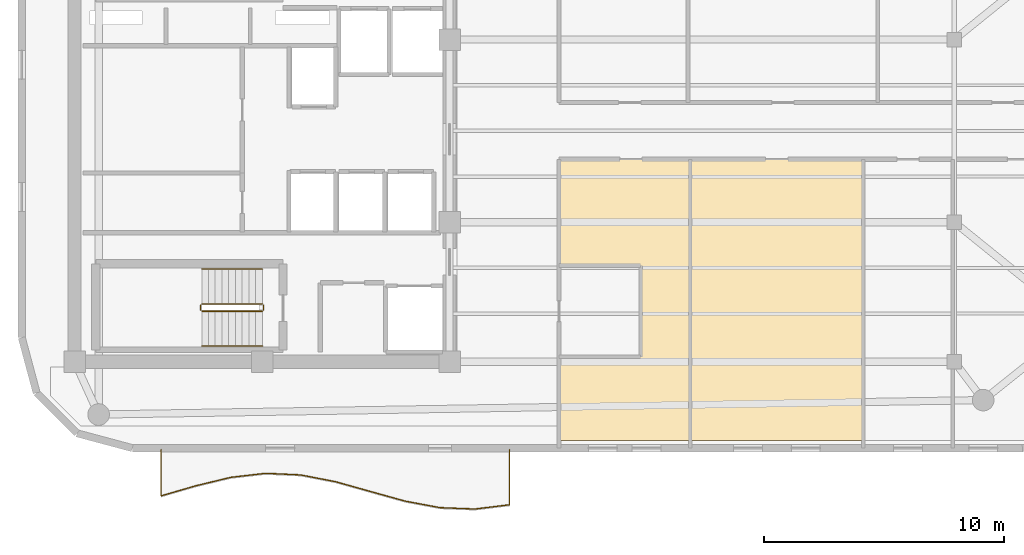
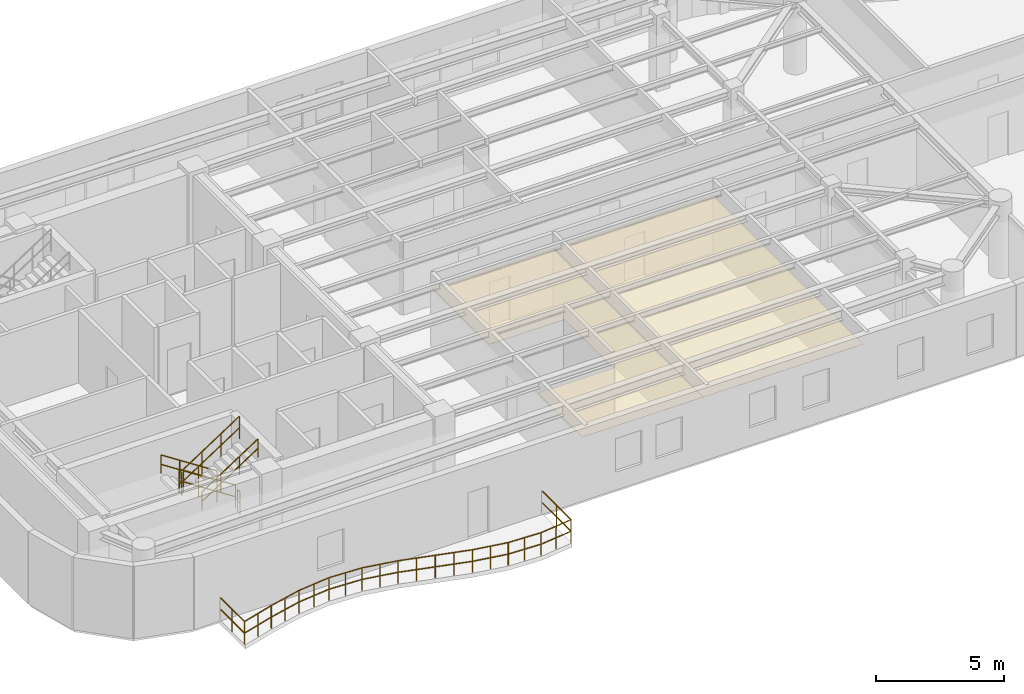
# One storey, part 11 of 14: 7 railings, 2 coverings.
"""IFC4 building model written with IfcOpenShell, lengths in metres."""

from ifc_helpers import new_model, si_unit, direction, frame, origin, origin_2d, place, context, subcontext, project, spatial, polyline, circle, outline, extrude, material, layer, layer_set, type_object, element, save


model = new_model("IFC4")

# Units and contexts
model_context = context("Model", 3, precision=1e-05, world=origin(), true_north=direction((0.0, 1.0)))
body_context = subcontext(model_context, "Body", "Model", "MODEL_VIEW")
ifc_project = project(units=[si_unit("LENGTHUNIT", "METRE"), si_unit("AREAUNIT", "SQUARE_METRE"), si_unit("VOLUMEUNIT", "CUBIC_METRE"), si_unit("PLANEANGLEUNIT", "RADIAN"), si_unit("MASSUNIT", "GRAM", prefix="KILO")], contexts=[model_context])

# Site, building, storey
site_placement = place(None, origin())
site = spatial("IfcSite", under=ifc_project, at=site_placement, CompositionType="ELEMENT")
building_placement = place(site_placement, origin())
building = spatial("IfcBuilding", under=site, at=building_placement, Name="An Khanh Terracotta Commons", CompositionType="ELEMENT")
storey_placement = place(building_placement, frame((0.0, 0.0, 280.699951171875)))
storey = spatial("IfcBuildingStorey", under=building, at=storey_placement, Name="L73", CompositionType="ELEMENT", Elevation=280.699951171875)

# Coverings
ifc_material_1 = material(Name="Perforated Mineral-Fibre Acoustic Tile")
ifc_layer = layer(ifc_material_1, 0.02001953125, Name="Perforated Mineral-Fibre Acoustic Tile")
ifc_layer_set = layer_set([ifc_layer], Name="Perforated Mineral-Fibre Acoustic Tile")
covering_type = type_object("IfcCoveringType", Name="CEIL-ACOUSTIC-18", PredefinedType="CEILING", material=ifc_layer_set)
covering_1_placement = place(storey_placement, frame((0.0, 0.0, 2.650146484375)))
element("IfcCovering", 1, at=covering_1_placement, inside=storey, type_object=covering_type, Name="L73 Collaborative Study Lounge Ceiling", PredefinedType="CEILING", context=body_context, shape_type="SweptSolid", body=[
    extrude(outline(polyline([(41.75, 11.1201171875), (41.75, 11.719970703125), (41.75, 14.179931640625), (41.75, 14.60009765625), (45.14990234375, 14.60009765625), (45.14990234375, 18.39990234375), (41.75, 18.39990234375), (41.75, 22.820068359375), (47.2109375, 22.820068359375), (47.2109375, 11.1201171875), (41.75, 11.1201171875)])), origin(), (0.0, 0.0, 1.0), 0.02001953125),
])
covering_2_placement = place(storey_placement, frame((0.0, 0.0, 2.650146484375)))
element("IfcCovering", 2, at=covering_2_placement, inside=storey, type_object=covering_type, Name="L73 Collaborative Study Lounge Ceiling", PredefinedType="CEILING", context=body_context, shape_type="SweptSolid", body=[
    extrude(outline(polyline([(47.2109375, 11.1201171875), (47.2109375, 22.820068359375), (54.41796875, 22.820068359375), (54.41796875, 11.1201171875), (47.2109375, 11.1201171875)])), origin(), (0.0, 0.0, 1.0), 0.02001953125),
])

# Railings
ifc_material_2 = material(Name="Brushed Stainless Steel 316", Category="steel")
railing_type_1 = type_object("IfcRailingType", Name="RAIL-BALUSTRADE-1100", PredefinedType="BALUSTRADE", material=ifc_material_2)
railing_1_placement = place(storey_placement, frame((25.199951171875, 10.739990234375, 0.0)))
element("IfcRailing", 3, at=railing_1_placement, inside=storey, type_object=railing_type_1, Name="L73 S Wave Balcony Guard Balustrade", PredefinedType="BALUSTRADE", context=body_context, shape_type="SweptSolid", body=[
    extrude(circle(Radius=0.02392578125, at=origin_2d()), frame((0.0, 0.0, 1.076171875), z_axis=(0.0, -1.0, 0.0), x_axis=(1.0, 0.0, 0.0)), (0.0, 0.0, 1.0), 1.924072265625),
    extrude(circle(Radius=0.02392578125, at=origin_2d()), frame((0.0, 0.0, 0.52587890625), z_axis=(0.0, -1.0, 0.0), x_axis=(1.0, 0.0, 0.0)), (0.0, 0.0, 1.0), 1.924072265625),
    extrude(circle(Radius=0.02392578125, at=origin_2d()), frame((0.0, -1.924072265625, 1.076171875), z_axis=(0.960312701252, 0.278925645674, 0.0), x_axis=(-0.278925645674, 0.960312701252, 0.0)), (0.0, 0.0, 1.0), 1.509765625),
    extrude(circle(Radius=0.02392578125, at=origin_2d()), frame((0.0, -1.924072265625, 0.52587890625), z_axis=(0.960312701252, 0.278925645674, 0.0), x_axis=(-0.278925645674, 0.960312701252, 0.0)), (0.0, 0.0, 1.0), 1.509765625),
    extrude(circle(Radius=0.02392578125, at=origin_2d()), frame((1.449951171875, -1.5029296875, 1.076171875), z_axis=(0.972111805875, 0.234517881788, 0.0), x_axis=(-0.234517881788, 0.972111805875, 0.0)), (0.0, 0.0, 1.0), 1.49169921875),
    extrude(circle(Radius=0.02392578125, at=origin_2d()), frame((1.449951171875, -1.5029296875, 0.52587890625), z_axis=(0.972111805875, 0.234517881788, 0.0), x_axis=(-0.234517881788, 0.972111805875, 0.0)), (0.0, 0.0, 1.0), 1.49169921875),
    extrude(circle(Radius=0.02392578125, at=origin_2d()), frame((2.900146484375, -1.153076171875, 1.076171875), z_axis=(0.993433088968, 0.114414587111, 0.0), x_axis=(-0.114414587111, 0.993433088968, 0.0)), (0.0, 0.0, 1.0), 1.45947265625),
    extrude(circle(Radius=0.02392578125, at=origin_2d()), frame((2.900146484375, -1.153076171875, 0.52587890625), z_axis=(0.993433088968, 0.114414587111, 0.0), x_axis=(-0.114414587111, 0.993433088968, 0.0)), (0.0, 0.0, 1.0), 1.45947265625),
    extrude(circle(Radius=0.02392578125, at=origin_2d()), frame((4.35009765625, -0.986083984375, 1.076171875), z_axis=(0.99893744393, -0.046086691301, 0.0), x_axis=(0.046086691301, 0.99893744393, 0.0)), (0.0, 0.0, 1.0), 1.451416015625),
    extrude(circle(Radius=0.02392578125, at=origin_2d()), frame((4.35009765625, -0.986083984375, 0.52587890625), z_axis=(0.99893744393, -0.046086691301, 0.0), x_axis=(0.046086691301, 0.99893744393, 0.0)), (0.0, 0.0, 1.0), 1.451416015625),
    extrude(circle(Radius=0.02392578125, at=origin_2d()), frame((5.800048828125, -1.052978515625, 1.076171875), z_axis=(0.981733065227, -0.190263471641, 0.0), x_axis=(0.190263471641, 0.981733065227, 0.0)), (0.0, 0.0, 1.0), 1.47705078125),
    extrude(circle(Radius=0.02392578125, at=origin_2d()), frame((5.800048828125, -1.052978515625, 0.52587890625), z_axis=(0.981733065227, -0.190263471641, 0.0), x_axis=(0.190263471641, 0.981733065227, 0.0)), (0.0, 0.0, 1.0), 1.47705078125),
    extrude(circle(Radius=0.02392578125, at=origin_2d()), frame((7.25, -1.333984375, 1.076171875), z_axis=(0.962960651707, -0.269641953829, 0.0), x_axis=(0.269641953829, 0.962960651707, 0.0)), (0.0, 0.0, 1.0), 1.505615234375),
    extrude(circle(Radius=0.02392578125, at=origin_2d()), frame((7.25, -1.333984375, 0.52587890625), z_axis=(0.962960651707, -0.269641953829, 0.0), x_axis=(0.269641953829, 0.962960651707, 0.0)), (0.0, 0.0, 1.0), 1.505615234375),
    extrude(circle(Radius=0.02392578125, at=origin_2d()), frame((8.699951171875, -1.739990234375, 1.076171875), z_axis=(0.963476069433, -0.267794442868, 0.0), x_axis=(0.267794442868, 0.963476069433, 0.0)), (0.0, 0.0, 1.0), 1.505126953125),
    extrude(circle(Radius=0.02392578125, at=origin_2d()), frame((8.699951171875, -1.739990234375, 0.52587890625), z_axis=(0.963476069433, -0.267794442868, 0.0), x_axis=(0.267794442868, 0.963476069433, 0.0)), (0.0, 0.0, 1.0), 1.505126953125),
    extrude(circle(Radius=0.02392578125, at=origin_2d()), frame((10.150146484375, -2.14306640625, 1.076171875), z_axis=(0.982859069957, -0.18435847852, 0.0), x_axis=(0.18435847852, 0.982859069957, 0.0)), (0.0, 0.0, 1.0), 1.475341796875),
    extrude(circle(Radius=0.02392578125, at=origin_2d()), frame((10.150146484375, -2.14306640625, 0.52587890625), z_axis=(0.982859069957, -0.18435847852, 0.0), x_axis=(0.18435847852, 0.982859069957, 0.0)), (0.0, 0.0, 1.0), 1.475341796875),
    extrude(circle(Radius=0.02392578125, at=origin_2d()), frame((11.60009765625, -2.4150390625, 1.076171875), z_axis=(0.999231304726, -0.03920203637, 0.0), x_axis=(0.03920203637, 0.999231304726, 0.0)), (0.0, 0.0, 1.0), 1.451171875),
    extrude(circle(Radius=0.02392578125, at=origin_2d()), frame((11.60009765625, -2.4150390625, 0.52587890625), z_axis=(0.999231304726, -0.03920203637, 0.0), x_axis=(0.03920203637, 0.999231304726, 0.0)), (0.0, 0.0, 1.0), 1.451171875),
    extrude(circle(Radius=0.02392578125, at=origin_2d()), frame((13.050048828125, -2.471923828125, 1.076171875), z_axis=(0.992550548012, 0.121833532497, 0.0), x_axis=(-0.121833532497, 0.992550548012, 0.0)), (0.0, 0.0, 1.0), 1.4609375),
    extrude(circle(Radius=0.02392578125, at=origin_2d()), frame((13.050048828125, -2.471923828125, 0.52587890625), z_axis=(0.992550548012, 0.121833532497, 0.0), x_axis=(-0.121833532497, 0.992550548012, 0.0)), (0.0, 0.0, 1.0), 1.4609375),
    extrude(circle(Radius=0.02392578125, at=origin_2d()), frame((14.5, -2.2939453125, 1.076171875), z_axis=(0.0, 1.0, 0.0), x_axis=(-1.0, 0.0, 0.0)), (0.0, 0.0, 1.0), 2.2939453125),
    extrude(circle(Radius=0.02392578125, at=origin_2d()), frame((14.5, -2.2939453125, 0.52587890625), z_axis=(0.0, 1.0, 0.0), x_axis=(-1.0, 0.0, 0.0)), (0.0, 0.0, 1.0), 2.2939453125),
    extrude(circle(Radius=0.02099609375, at=origin_2d()), origin(), (0.0, 0.0, 1.0), 1.052001953125),
    extrude(circle(Radius=0.02099609375, at=origin_2d()), frame((0.0, -0.9619140625, 0.0)), (0.0, 0.0, 1.0), 1.052001953125),
    extrude(circle(Radius=0.02099609375, at=origin_2d()), frame((0.0, -1.924072265625, 0.0)), (0.0, 0.0, 1.0), 1.052001953125),
    extrude(circle(Radius=0.02099609375, at=origin_2d()), frame((0.72509765625, -1.71337890625, 0.0)), (0.0, 0.0, 1.0), 1.052001953125),
    extrude(circle(Radius=0.02099609375, at=origin_2d()), frame((1.449951171875, -1.5029296875, 0.0)), (0.0, 0.0, 1.0), 1.052001953125),
    extrude(circle(Radius=0.02099609375, at=origin_2d()), frame((2.175048828125, -1.328125, 0.0)), (0.0, 0.0, 1.0), 1.052001953125),
    extrude(circle(Radius=0.02099609375, at=origin_2d()), frame((2.900146484375, -1.153076171875, 0.0)), (0.0, 0.0, 1.0), 1.052001953125),
    extrude(circle(Radius=0.02099609375, at=origin_2d()), frame((3.625, -1.069580078125, 0.0)), (0.0, 0.0, 1.0), 1.052001953125),
    extrude(circle(Radius=0.02099609375, at=origin_2d()), frame((4.35009765625, -0.986083984375, 0.0)), (0.0, 0.0, 1.0), 1.052001953125),
    extrude(circle(Radius=0.02099609375, at=origin_2d()), frame((5.0751953125, -1.01953125, 0.0)), (0.0, 0.0, 1.0), 1.052001953125),
    extrude(circle(Radius=0.02099609375, at=origin_2d()), frame((5.800048828125, -1.052978515625, 0.0)), (0.0, 0.0, 1.0), 1.052001953125),
    extrude(circle(Radius=0.02099609375, at=origin_2d()), frame((6.52490234375, -1.193359375, 0.0)), (0.0, 0.0, 1.0), 1.052001953125),
    extrude(circle(Radius=0.02099609375, at=origin_2d()), frame((7.25, -1.333984375, 0.0)), (0.0, 0.0, 1.0), 1.052001953125),
    extrude(circle(Radius=0.02099609375, at=origin_2d()), frame((7.97509765625, -1.537109375, 0.0)), (0.0, 0.0, 1.0), 1.052001953125),
    extrude(circle(Radius=0.02099609375, at=origin_2d()), frame((8.699951171875, -1.739990234375, 0.0)), (0.0, 0.0, 1.0), 1.052001953125),
    extrude(circle(Radius=0.02099609375, at=origin_2d()), frame((9.425048828125, -1.94140625, 0.0)), (0.0, 0.0, 1.0), 1.052001953125),
    extrude(circle(Radius=0.02099609375, at=origin_2d()), frame((10.150146484375, -2.14306640625, 0.0)), (0.0, 0.0, 1.0), 1.052001953125),
    extrude(circle(Radius=0.02099609375, at=origin_2d()), frame((10.875, -2.279052734375, 0.0)), (0.0, 0.0, 1.0), 1.052001953125),
    extrude(circle(Radius=0.02099609375, at=origin_2d()), frame((11.60009765625, -2.4150390625, 0.0)), (0.0, 0.0, 1.0), 1.052001953125),
    extrude(circle(Radius=0.02099609375, at=origin_2d()), frame((12.3251953125, -2.443359375, 0.0)), (0.0, 0.0, 1.0), 1.052001953125),
    extrude(circle(Radius=0.02099609375, at=origin_2d()), frame((13.050048828125, -2.471923828125, 0.0)), (0.0, 0.0, 1.0), 1.052001953125),
    extrude(circle(Radius=0.02099609375, at=origin_2d()), frame((13.77490234375, -2.3828125, 0.0)), (0.0, 0.0, 1.0), 1.052001953125),
    extrude(circle(Radius=0.02099609375, at=origin_2d()), frame((14.5, -2.2939453125, 0.0)), (0.0, 0.0, 1.0), 1.052001953125),
    extrude(circle(Radius=0.02099609375, at=origin_2d()), frame((14.5, -1.14697265625, 0.0)), (0.0, 0.0, 1.0), 1.052001953125),
    extrude(circle(Radius=0.02099609375, at=origin_2d()), frame((14.5, 0.0, 0.0)), (0.0, 0.0, 1.0), 1.052001953125),
])
railing_type_2 = type_object("IfcRailingType", Name="RAIL-HANDRAIL-900", PredefinedType="HANDRAIL", material=ifc_material_2)
railing_2_placement = place(storey_placement, frame((29.409912109375, 18.25, 0.1826171875)))
element("IfcRailing", 4, at=railing_2_placement, inside=storey, type_object=railing_type_2, Name="L73 ST-02 stair handrail 1", PredefinedType="HANDRAIL", context=body_context, shape_type="SweptSolid", body=[
    extrude(circle(Radius=0.02392578125, at=origin_2d()), frame((0.0, 0.0, 0.8759765625), z_axis=(-0.837786554691, 0.0, 0.545997883492), x_axis=(0.0, -1.0, 0.0)), (0.0, 0.0, 1.0), 3.008056640625),
    extrude(circle(Radius=0.02392578125, at=origin_2d()), frame((0.0, 0.0, 0.42578125), z_axis=(-0.837786554691, 0.0, 0.545997883492), x_axis=(0.0, -1.0, 0.0)), (0.0, 0.0, 1.0), 3.008056640625),
    extrude(circle(Radius=0.02099609375, at=origin_2d()), origin(), (0.0, 0.0, 1.0), 0.851806640625),
    extrude(circle(Radius=0.02099609375, at=origin_2d()), frame((-0.840087890625, 0.0, 0.54736328125)), (0.0, 0.0, 1.0), 0.851806640625),
    extrude(circle(Radius=0.02099609375, at=origin_2d()), frame((-1.679931640625, 0.0, 1.094970703125)), (0.0, 0.0, 1.0), 0.851806640625),
    extrude(circle(Radius=0.02099609375, at=origin_2d()), frame((-2.52001953125, 0.0, 1.642333984375)), (0.0, 0.0, 1.0), 0.851806640625),
])
railing_3_placement = place(storey_placement, frame((26.889892578125, 15.050048828125, 2.007568359375)))
element("IfcRailing", 5, at=railing_3_placement, inside=storey, type_object=railing_type_2, Name="L73 ST-02 stair handrail 2", PredefinedType="HANDRAIL", context=body_context, shape_type="SweptSolid", body=[
    extrude(circle(Radius=0.02392578125, at=origin_2d()), frame((0.0, 0.0, 0.8759765625), z_axis=(0.837749427056, 0.0, 0.546054848405), x_axis=(0.0, 1.0, 0.0)), (0.0, 0.0, 1.0), 3.008056640625),
    extrude(circle(Radius=0.02392578125, at=origin_2d()), frame((0.0, 0.0, 0.42578125), z_axis=(0.837749427056, 0.0, 0.546054848405), x_axis=(0.0, 1.0, 0.0)), (0.0, 0.0, 1.0), 3.008056640625),
    extrude(circle(Radius=0.02099609375, at=origin_2d()), origin(), (0.0, 0.0, 1.0), 0.851806640625),
    extrude(circle(Radius=0.02099609375, at=origin_2d()), frame((0.840087890625, 0.0, 0.547607421875)), (0.0, 0.0, 1.0), 0.851806640625),
    extrude(circle(Radius=0.02099609375, at=origin_2d()), frame((1.679931640625, 0.0, 1.094970703125)), (0.0, 0.0, 1.0), 0.851806640625),
    extrude(circle(Radius=0.02099609375, at=origin_2d()), frame((2.52001953125, 0.0, 1.642578125)), (0.0, 0.0, 1.0), 0.851806640625),
])
ifc_material_3 = material(Name="Powder-Coated Steel S355J2", Category="steel")
railing_type_3 = type_object("IfcRailingType", Name="RAIL-STAIR-GUARD-1100", PredefinedType="BALUSTRADE", material=ifc_material_3)
railing_4_placement = place(storey_placement, frame((29.409912109375, 16.800048828125, 0.1826171875)))
element("IfcRailing", 6, at=railing_4_placement, inside=storey, type_object=railing_type_3, Name="L73 ST-02 stair guard 1", PredefinedType="BALUSTRADE", context=body_context, shape_type="SweptSolid", body=[
    extrude(circle(Radius=0.02392578125, at=origin_2d()), frame((0.0, 0.0, 1.076171875), z_axis=(-0.837786554691, 0.0, 0.545997883492), x_axis=(0.0, -1.0, 0.0)), (0.0, 0.0, 1.0), 3.008056640625),
    extrude(circle(Radius=0.02392578125, at=origin_2d()), frame((0.0, 0.0, 0.52587890625), z_axis=(-0.837786554691, 0.0, 0.545997883492), x_axis=(0.0, -1.0, 0.0)), (0.0, 0.0, 1.0), 3.008056640625),
    extrude(circle(Radius=0.02099609375, at=origin_2d()), origin(), (0.0, 0.0, 1.0), 1.052001953125),
    extrude(circle(Radius=0.02099609375, at=origin_2d()), frame((-0.840087890625, 0.0, 0.54736328125)), (0.0, 0.0, 1.0), 1.052001953125),
    extrude(circle(Radius=0.02099609375, at=origin_2d()), frame((-1.679931640625, 0.0, 1.094970703125)), (0.0, 0.0, 1.0), 1.052001953125),
    extrude(circle(Radius=0.02099609375, at=origin_2d()), frame((-2.52001953125, 0.0, 1.642333984375)), (0.0, 0.0, 1.0), 1.052001953125),
])
railing_5_placement = place(storey_placement, frame((26.840087890625, 16.75, 1.824951171875)))
element("IfcRailing", 7, at=railing_5_placement, inside=storey, type_object=railing_type_3, Name="L73 ST-02 stair guard 2", PredefinedType="BALUSTRADE", context=body_context, shape_type="SweptSolid", body=[
    extrude(circle(Radius=0.02392578125, at=origin_2d()), frame((0.0, 0.0, 1.076171875), z_axis=(0.0, -1.0, 0.0), x_axis=(1.0, 0.0, 0.0)), (0.0, 0.0, 1.0), 0.199951171875),
    extrude(circle(Radius=0.02392578125, at=origin_2d()), frame((0.0, 0.0, 0.52587890625), z_axis=(0.0, -1.0, 0.0), x_axis=(1.0, 0.0, 0.0)), (0.0, 0.0, 1.0), 0.199951171875),
    extrude(circle(Radius=0.02099609375, at=origin_2d()), origin(), (0.0, 0.0, 1.0), 1.052001953125),
    extrude(circle(Radius=0.02099609375, at=origin_2d()), frame((0.0, -0.199951171875, 0.0)), (0.0, 0.0, 1.0), 1.052001953125),
])
railing_6_placement = place(storey_placement, frame((26.889892578125, 16.5, 2.007568359375)))
element("IfcRailing", 8, at=railing_6_placement, inside=storey, type_object=railing_type_3, Name="L73 ST-02 stair guard 3", PredefinedType="BALUSTRADE", context=body_context, shape_type="SweptSolid", body=[
    extrude(circle(Radius=0.02392578125, at=origin_2d()), frame((0.0, 0.0, 1.076171875), z_axis=(0.837749427056, 0.0, 0.546054848405), x_axis=(0.0, 1.0, 0.0)), (0.0, 0.0, 1.0), 3.008056640625),
    extrude(circle(Radius=0.02392578125, at=origin_2d()), frame((0.0, 0.0, 0.52587890625), z_axis=(0.837749427056, 0.0, 0.546054848405), x_axis=(0.0, 1.0, 0.0)), (0.0, 0.0, 1.0), 3.008056640625),
    extrude(circle(Radius=0.02099609375, at=origin_2d()), origin(), (0.0, 0.0, 1.0), 1.052001953125),
    extrude(circle(Radius=0.02099609375, at=origin_2d()), frame((0.840087890625, 0.0, 0.547607421875)), (0.0, 0.0, 1.0), 1.052001953125),
    extrude(circle(Radius=0.02099609375, at=origin_2d()), frame((1.679931640625, 0.0, 1.094970703125)), (0.0, 0.0, 1.0), 1.052001953125),
    extrude(circle(Radius=0.02099609375, at=origin_2d()), frame((2.52001953125, 0.0, 1.642578125)), (0.0, 0.0, 1.0), 1.052001953125),
])
railing_7_placement = place(storey_placement, frame((29.4599609375, 16.75, 0.0)))
element("IfcRailing", 9, at=railing_7_placement, inside=storey, type_object=railing_type_3, Name="L73 ST-02 stair guard 4", PredefinedType="BALUSTRADE", context=body_context, shape_type="SweptSolid", body=[
    extrude(circle(Radius=0.02392578125, at=origin_2d()), frame((0.0, 0.0, 1.076171875), z_axis=(0.0, -1.0, 0.0), x_axis=(1.0, 0.0, 0.0)), (0.0, 0.0, 1.0), 0.199951171875),
    extrude(circle(Radius=0.02392578125, at=origin_2d()), frame((0.0, 0.0, 0.52587890625), z_axis=(0.0, -1.0, 0.0), x_axis=(1.0, 0.0, 0.0)), (0.0, 0.0, 1.0), 0.199951171875),
    extrude(circle(Radius=0.02099609375, at=origin_2d()), origin(), (0.0, 0.0, 1.0), 1.052001953125),
    extrude(circle(Radius=0.02099609375, at=origin_2d()), frame((0.0, -0.199951171875, 0.0)), (0.0, 0.0, 1.0), 1.052001953125),
])

save(model, "model.ifc")
